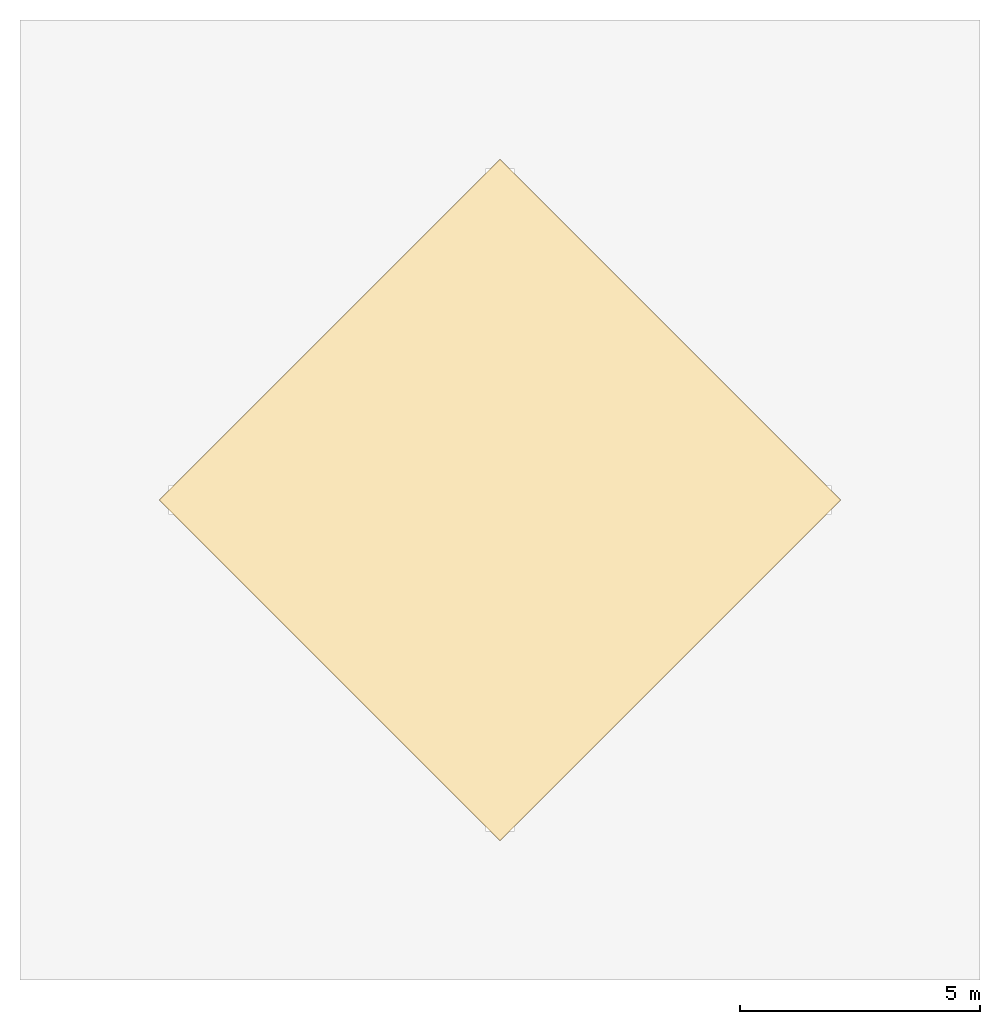
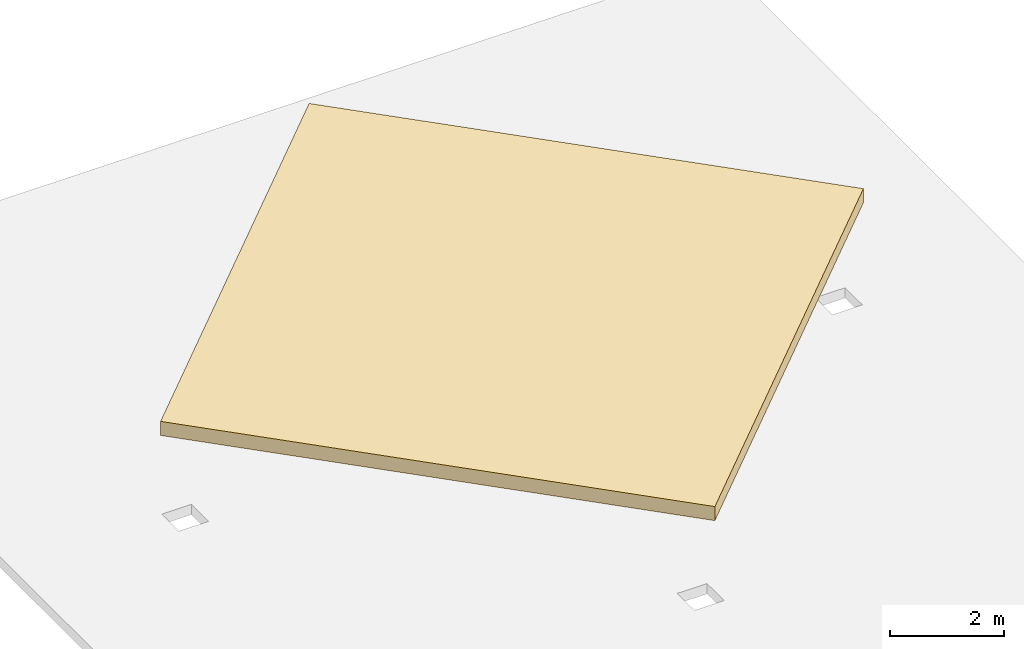
# One storey, part 2 of 2: 1 covering.
"""IFC4 building model written with IfcOpenShell, lengths in metres."""

from ifc_helpers import new_model, si_unit, direction, frame, origin, place, context, subcontext, project, spatial, polyline, outline, extrude, material, type_object, element, save


model = new_model("IFC4")

# Units and contexts
model_context = context("Model", 3, precision=1e-05, world=origin(), true_north=direction((0.0, 1.0)))
body_context = subcontext(model_context, "Body", "Model", "MODEL_VIEW")
ifc_project = project(units=[si_unit("LENGTHUNIT", "METRE"), si_unit("AREAUNIT", "SQUARE_METRE"), si_unit("VOLUMEUNIT", "CUBIC_METRE"), si_unit("PLANEANGLEUNIT", "RADIAN"), si_unit("MASSUNIT", "GRAM", prefix="KILO")], contexts=[model_context])

# Site, building, storey
site_placement = place(None, origin())
site = spatial("IfcSite", under=ifc_project, at=site_placement, CompositionType="ELEMENT")
building_placement = place(site_placement, origin())
building = spatial("IfcBuilding", under=site, at=building_placement, Name="Turquesa Mirador Hotel Tower", CompositionType="ELEMENT")
storey_placement = place(building_placement, frame((0.0, 0.0, 277.419921875)))
storey = spatial("IfcBuildingStorey", under=building, at=storey_placement, Name="ROOF", CompositionType="ELEMENT", Elevation=277.419921875)

# Covering
ifc_material = material(Name="Glazed ceramic tile on membrane and composite metal deck", Category="ceramic")
covering_type = type_object("IfcCoveringType", Name="CROWN CAP 300 GLAZED CERAMIC TILE ON METAL DECK", PredefinedType="ROOFING", material=ifc_material)
covering_placement = place(storey_placement, frame((0.0, 0.0, 1.93017578125)))
element("IfcCovering", 1, at=covering_placement, inside=storey, type_object=covering_type, Name="Crown cap", PredefinedType="ROOFING", context=body_context, shape_type="SweptSolid", body=[
    extrude(outline(polyline([(62.094970703125, 45.0), (55.0, 52.094970703125), (47.905029296875, 45.0), (55.0, 37.905029296875), (62.094970703125, 45.0)])), origin(), (0.0, 0.0, 1.0), 0.2998046875),
])

save(model, "model.ifc")
